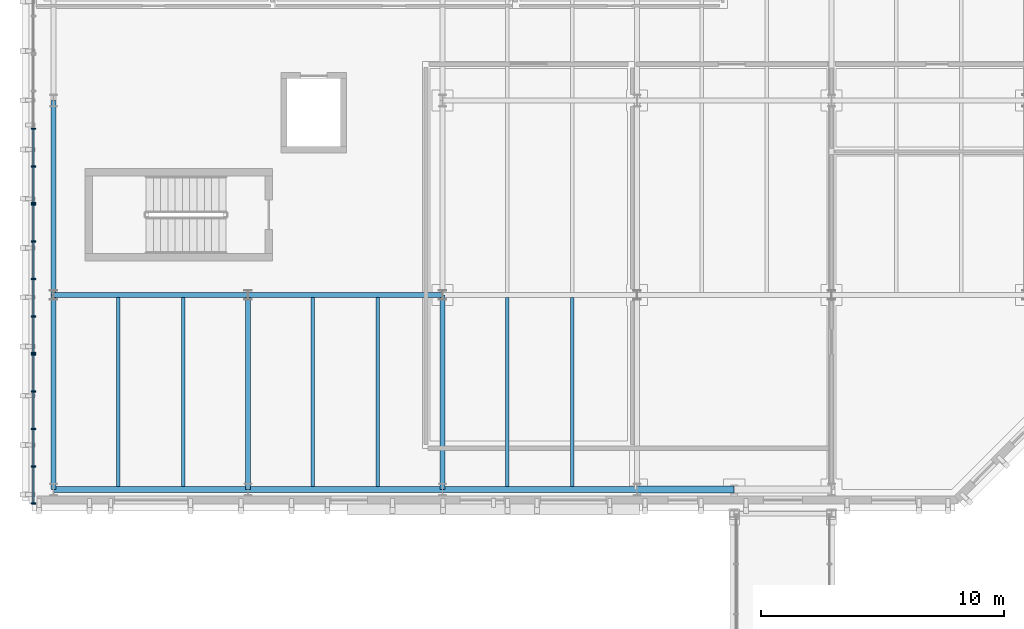
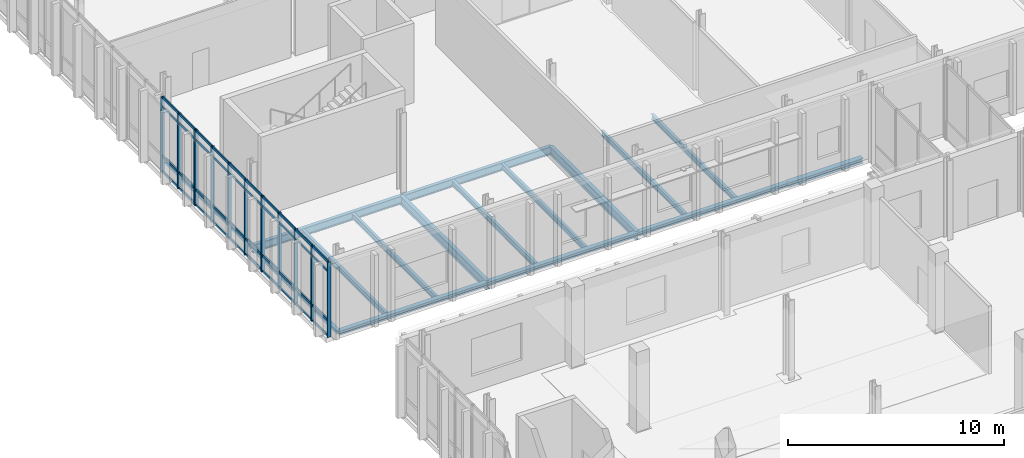
# One storey, part 35 of 100: 53 members, 16 beams, 3 elements without a shape of their own.
"""IFC4 building model written with IfcOpenShell, lengths in metres."""

import ifcopenshell
import ifcopenshell.guid

model = None  # the IFC model being written
_history = None  # IfcOwnerHistory: only IFC2X3 demands one
_inside = {}  # id of a spatial element -> (the spatial element, [elements in it])
_under = {}  # id of a project, library or spatial element -> (it, [spatial elements below it])
_declared = {}  # id of a project -> (the project, [libraries it declares])
_typed = {}  # id of a type object -> (the type object, [elements of that type])
_made_of = {}  # id of a material, layer set ... -> (it, [elements and type objects made of it])


def new_model(schema):
    """Start an empty IFC model of exactly this schema.

    Asked for "IFC4X3", IfcOpenShell would pick the latest addendum, in which some entities
    have other attributes; the version numbers below select the first issue.
    IFC2X3 requires an IfcOwnerHistory on every rooted entity: one is made here for all.
    """
    global model, _history
    if schema == "IFC4X3":
        model = ifcopenshell.file(schema_version=(4, 3, 0, 0))
    else:
        model = ifcopenshell.file(schema=schema)
    _inside.clear()
    _under.clear()
    _declared.clear()
    _typed.clear()
    _made_of.clear()
    _history = None
    if model.schema == "IFC2X3":
        org = make("IfcOrganization", Name="unknown")
        user = make(
            "IfcPersonAndOrganization",
            ThePerson=make("IfcPerson", FamilyName="unknown"),
            TheOrganization=org,
        )
        app = make(
            "IfcApplication",
            ApplicationDeveloper=org,
            Version="unknown",
            ApplicationFullName="unknown",
            ApplicationIdentifier="unknown",
        )
        _history = make(
            "IfcOwnerHistory",
            OwningUser=user,
            OwningApplication=app,
            ChangeAction="ADDED",
            CreationDate=0,
        )
    return model


def make(cls, **values):
    """One entity of the class cls with the attributes given. An attribute that is None is left unset."""
    return model.create_entity(
        cls, **{name: value for name, value in values.items() if value is not None}
    )


def rooted(cls, **values):
    """An entity with a GlobalId (a new one), such as an element, a storey or a relation."""
    return make(cls, GlobalId=ifcopenshell.guid.new(), OwnerHistory=_history, **values)


def si_unit(unit_type, name, prefix=None):
    """IfcSIUnit, for example si_unit("LENGTHUNIT", "METRE", prefix="MILLI")."""
    return make("IfcSIUnit", UnitType=unit_type, Prefix=prefix, Name=name)


def assignment(units):
    """IfcUnitAssignment: the units of a project."""
    return None if units is None else make("IfcUnitAssignment", Units=units)


def point(xyz):
    """IfcCartesianPoint."""
    return None if xyz is None else make("IfcCartesianPoint", Coordinates=xyz)


def direction(xyz):
    """IfcDirection."""
    return None if xyz is None else make("IfcDirection", DirectionRatios=xyz)


def frame(location, z_axis=None, x_axis=None):
    """IfcAxis2Placement3D, a coordinate frame: its origin and axes. An axis left out is left unset."""
    return make(
        "IfcAxis2Placement3D",
        Location=point(location),
        Axis=direction(z_axis),
        RefDirection=direction(x_axis),
    )


def frame_2d(location, x_axis=None):
    """IfcAxis2Placement2D, a coordinate frame in the plane: its origin and x axis."""
    return make(
        "IfcAxis2Placement2D", Location=point(location), RefDirection=direction(x_axis)
    )


def origin():
    """The frame at (0, 0, 0) with its axes left unset."""
    return frame((0.0, 0.0, 0.0))


def origin_2d():
    """The frame at (0, 0) in the plane with its x axis left unset."""
    return frame_2d((0.0, 0.0))


def place(relative_to, where):
    """IfcLocalPlacement: puts the frame where relative to a parent placement (None: the world)."""
    return make(
        "IfcLocalPlacement", PlacementRelTo=relative_to, RelativePlacement=where
    )


def context(
    kind, dimensions, precision=None, world=None, true_north=None, identifier=None
):
    """IfcGeometricRepresentationContext, for example the 3D "Model" context."""
    return make(
        "IfcGeometricRepresentationContext",
        ContextIdentifier=identifier,
        ContextType=kind,
        CoordinateSpaceDimension=dimensions,
        Precision=precision,
        WorldCoordinateSystem=world,
        TrueNorth=true_north,
    )


def subcontext(parent, identifier, kind, view, scale=None):
    """IfcGeometricRepresentationSubContext, for example "Body" below "Model"."""
    return make(
        "IfcGeometricRepresentationSubContext",
        ContextIdentifier=identifier,
        ContextType=kind,
        ParentContext=parent,
        TargetScale=scale,
        TargetView=view,
    )


def project(units=None, contexts=None):
    """IfcProject with its units and contexts."""
    return rooted(
        "IfcProject",
        Name="project",
        RepresentationContexts=contexts,
        UnitsInContext=assignment(units),
    )


def spatial(cls, under=None, at=None, **own):
    """A site, building, storey or space (cls), placed at a placement, below another one or the project."""
    s = rooted(cls, ObjectPlacement=at, **own)
    if under is not None:
        _under.setdefault(under.id(), (under, []))[1].append(s)
    return s


def profile(cls, at=None, kind="AREA", **sizes):
    """A parametric profile (cls). Its sizes go by their IFC names, for example OverallWidth=200.0."""
    return make(cls, ProfileType=kind, Position=at, **sizes)


def rectangle(**sizes):
    """IfcRectangleProfileDef."""
    return profile("IfcRectangleProfileDef", **sizes)


def i_section(**sizes):
    """IfcIShapeProfileDef."""
    return profile("IfcIShapeProfileDef", **sizes)


def extrude(swept, where, along, depth):
    """IfcExtrudedAreaSolid: the profile swept, set in the frame where, extruded along a direction by depth."""
    return make(
        "IfcExtrudedAreaSolid",
        SweptArea=swept,
        Position=where,
        ExtrudedDirection=direction(along),
        Depth=depth,
    )


def shape(context_of_items, identifier, shape_type, items):
    """IfcShapeRepresentation: the items that make up one representation, for example the "Body"."""
    return make(
        "IfcShapeRepresentation",
        ContextOfItems=context_of_items,
        RepresentationIdentifier=identifier,
        RepresentationType=shape_type,
        Items=items,
    )


def material(Name=None, Category=None):
    """IfcMaterial."""
    return make("IfcMaterial", Name=Name, Category=Category)


def material_profile(
    of_material, cross_section, Name=None, Category=None, Priority=None
):
    """IfcMaterialProfile: a cross section and its material."""
    return make(
        "IfcMaterialProfile",
        Name=Name,
        Material=of_material,
        Profile=cross_section,
        Priority=Priority,
        Category=Category,
    )


def profile_set(profiles, Name=None, composite=None):
    """IfcMaterialProfileSet."""
    return make(
        "IfcMaterialProfileSet",
        Name=Name,
        MaterialProfiles=profiles,
        CompositeProfile=composite,
    )


def made_of(thing, what):
    """Note that an element or type object is made of a material, layer set ...; save() writes the relation."""
    if what is not None:
        _made_of.setdefault(what.id(), (what, []))[1].append(thing)
    return thing


def type_object(cls, material=None, **own):
    """A type object (cls), such as IfcWallType, which elements share."""
    return made_of(rooted(cls, **own), material)


def element(
    cls,
    number,
    at=None,
    inside=None,
    cuts=None,
    type_object=None,
    material=None,
    context=None,
    identifier="Body",
    shape_type=None,
    held_by="IfcProductDefinitionShape",
    body=None,
    shapes=None,
    **own,
):
    """One element of the class cls, such as IfcWall. Its Tag is "e" and its number.

    at: its placement. inside: the storey or other place that contains it. cuts: it is an
    opening in that element (IfcRelVoidsElement). A single representation is given by context,
    identifier, shape_type and body (its items); several are given by shapes. held_by: the class
    of the entity that holds the representations. save() writes the other relations.
    """
    e = rooted(cls, Tag="e%d" % number, ObjectPlacement=at, **own)
    if body is not None:
        shapes = [shape(context, identifier, shape_type, body)]
    if shapes is not None:
        e.Representation = make(held_by, Representations=shapes)
    if inside is not None:
        _inside.setdefault(inside.id(), (inside, []))[1].append(e)
    if cuts is not None:
        rooted(
            "IfcRelVoidsElement", RelatingBuildingElement=cuts, RelatedOpeningElement=e
        )
    if type_object is not None:
        _typed.setdefault(type_object.id(), (type_object, []))[1].append(e)
    return made_of(e, material)


def aggregate(whole, parts):
    """IfcRelAggregates: a whole, such as a stair, and the parts it consists of."""
    return rooted("IfcRelAggregates", RelatingObject=whole, RelatedObjects=parts)


def save(model, path):
    """Write the relations noted so far, then the file.

    IfcRelAggregates (storeys below a building ...), IfcRelContainedInSpatialStructure (elements
    in a storey), IfcRelDefinesByType, IfcRelAssociatesMaterial and IfcRelDeclares: one each for
    every whole, place, type object, material and project.
    """
    for whole, parts in _under.values():
        aggregate(whole, parts)
    for where, things in _inside.values():
        rooted(
            "IfcRelContainedInSpatialStructure",
            RelatedElements=things,
            RelatingStructure=where,
        )
    for kind, things in _typed.values():
        rooted("IfcRelDefinesByType", RelatedObjects=things, RelatingType=kind)
    for what, things in _made_of.values():
        rooted("IfcRelAssociatesMaterial", RelatedObjects=things, RelatingMaterial=what)
    for by, libraries in _declared.values():
        rooted("IfcRelDeclares", RelatingContext=by, RelatedDefinitions=libraries)
    model.write(path)


model = new_model("IFC4")

# Units and contexts
model_context = context("Model", 3, precision=1e-05, world=origin(), true_north=direction((0.0, 1.0)))
body_context = subcontext(model_context, "Body", "Model", "MODEL_VIEW")
ifc_project = project(units=[si_unit("LENGTHUNIT", "METRE"), si_unit("AREAUNIT", "SQUARE_METRE"), si_unit("VOLUMEUNIT", "CUBIC_METRE"), si_unit("PLANEANGLEUNIT", "RADIAN"), si_unit("MASSUNIT", "GRAM", prefix="KILO")], contexts=[model_context])

# Site, building, storey
site_placement = place(None, origin())
site = spatial("IfcSite", under=ifc_project, at=site_placement, CompositionType="ELEMENT")
building_placement = place(site_placement, origin())
building = spatial("IfcBuilding", under=site, at=building_placement, Name="Cymarion Research Institute", CompositionType="ELEMENT")
storey_placement = place(building_placement, frame((0.0, 0.0, 4.800048828125)))
storey = spatial("IfcBuildingStorey", under=building, at=storey_placement, Name="L01", CompositionType="ELEMENT", Elevation=4.800048828125)

# Curtain wall, members
ifc_material_1 = material(Name="Anodised aluminium unitised curtain wall with Low-E glazing", Category="aluminium")
curtain_wall_type = type_object("IfcCurtainWallType", Name="UNITISED CURTAIN WALL CW22 6180X4250", PredefinedType="NOTDEFINED", material=ifc_material_1)
curtain_wall_1_placement = place(storey_placement, origin())
curtain_wall_1 = element("IfcCurtainWall", 1, at=curtain_wall_1_placement, inside=storey, type_object=curtain_wall_type, Name="L01 V5 unitised curtain wall CW22 #53", PredefinedType="NOTDEFINED")
ifc_material_2 = material(Name="Anodised aluminium framing", Category="aluminium")
ifc_material_profile_1 = material_profile(ifc_material_2, rectangle(XDim=0.06005859375, YDim=0.179931640625, at=origin_2d()), Name="ALU MULLION 60x180")
ifc_profile_set_1 = profile_set([ifc_material_profile_1], Name="Anodised aluminium framing")
member_type_1 = type_object("IfcMemberType", Name="CURTAIN WALL MULLION ML01 60X180", PredefinedType="MULLION", material=ifc_profile_set_1)
member_1_placement = place(storey_placement, frame((5.77001953125, 100.339111328125, 0.0), z_axis=(0.0, 0.0, 1.0), x_axis=(0.0, -1.0, 0.0)))
member_1 = element("IfcMember", 2, at=member_1_placement, type_object=member_type_1, Name="CW22 mullion 3", PredefinedType="MULLION", context=body_context, shape_type="SweptSolid", body=[
    extrude(rectangle(XDim=0.06005859375, YDim=0.179931640625, at=origin_2d()), origin(), (0.0, 0.0, 1.0), 4.25),
])
member_2_placement = place(storey_placement, frame((5.77001953125, 98.795166015625, 0.0), z_axis=(0.0, 0.0, 1.0), x_axis=(0.0, -1.0, 0.0)))
member_2 = element("IfcMember", 3, at=member_2_placement, type_object=member_type_1, Name="CW22 mullion 4", PredefinedType="MULLION", context=body_context, shape_type="SweptSolid", body=[
    extrude(rectangle(XDim=0.06005859375, YDim=0.179931640625, at=origin_2d()), origin(), (0.0, 0.0, 1.0), 4.25),
])
member_3_placement = place(storey_placement, frame((5.77001953125, 97.28125, 0.0), z_axis=(0.0, 0.0, 1.0), x_axis=(0.0, -1.0, 0.0)))
member_3 = element("IfcMember", 4, at=member_3_placement, type_object=member_type_1, Name="CW22 mullion 5", PredefinedType="MULLION", context=body_context, shape_type="SweptSolid", body=[
    extrude(rectangle(XDim=0.06005859375, YDim=0.179931640625, at=origin_2d()), origin(), (0.0, 0.0, 1.0), 4.25),
])

curtain_wall_2_placement = place(storey_placement, origin())
curtain_wall_2 = element("IfcCurtainWall", 5, at=curtain_wall_2_placement, inside=storey, type_object=curtain_wall_type, Name="L01 V5 unitised curtain wall CW22 #54", PredefinedType="NOTDEFINED")
member_4_placement = place(storey_placement, frame((5.77001953125, 97.22119140625, 0.0), z_axis=(0.0, 0.0, 1.0), x_axis=(0.0, -1.0, 0.0)))
member_4 = element("IfcMember", 6, at=member_4_placement, type_object=member_type_1, Name="CW22 mullion 1", PredefinedType="MULLION", context=body_context, shape_type="SweptSolid", body=[
    extrude(rectangle(XDim=0.06005859375, YDim=0.179931640625, at=origin_2d()), origin(), (0.0, 0.0, 1.0), 4.25),
])
member_5_placement = place(storey_placement, frame((5.77001953125, 95.707275390625, 0.0), z_axis=(0.0, 0.0, 1.0), x_axis=(0.0, -1.0, 0.0)))
member_5 = element("IfcMember", 7, at=member_5_placement, type_object=member_type_1, Name="CW22 mullion 2", PredefinedType="MULLION", context=body_context, shape_type="SweptSolid", body=[
    extrude(rectangle(XDim=0.06005859375, YDim=0.179931640625, at=origin_2d()), origin(), (0.0, 0.0, 1.0), 4.25),
])
member_6_placement = place(storey_placement, frame((5.77001953125, 94.163330078125, 0.0), z_axis=(0.0, 0.0, 1.0), x_axis=(0.0, -1.0, 0.0)))
member_6 = element("IfcMember", 8, at=member_6_placement, type_object=member_type_1, Name="CW22 mullion 3", PredefinedType="MULLION", context=body_context, shape_type="SweptSolid", body=[
    extrude(rectangle(XDim=0.06005859375, YDim=0.179931640625, at=origin_2d()), origin(), (0.0, 0.0, 1.0), 4.25),
])
member_7_placement = place(storey_placement, frame((5.77001953125, 92.619384765625, 0.0), z_axis=(0.0, 0.0, 1.0), x_axis=(0.0, -1.0, 0.0)))
member_7 = element("IfcMember", 9, at=member_7_placement, type_object=member_type_1, Name="CW22 mullion 4", PredefinedType="MULLION", context=body_context, shape_type="SweptSolid", body=[
    extrude(rectangle(XDim=0.06005859375, YDim=0.179931640625, at=origin_2d()), origin(), (0.0, 0.0, 1.0), 4.25),
])
member_8_placement = place(storey_placement, frame((5.77001953125, 91.105712890625, 0.0), z_axis=(0.0, 0.0, 1.0), x_axis=(0.0, -1.0, 0.0)))
member_8 = element("IfcMember", 10, at=member_8_placement, type_object=member_type_1, Name="CW22 mullion 5", PredefinedType="MULLION", context=body_context, shape_type="SweptSolid", body=[
    extrude(rectangle(XDim=0.06005859375, YDim=0.179931640625, at=origin_2d()), origin(), (0.0, 0.0, 1.0), 4.25),
])

curtain_wall_3_placement = place(storey_placement, origin())
curtain_wall_3 = element("IfcCurtainWall", 11, at=curtain_wall_3_placement, inside=storey, type_object=curtain_wall_type, Name="L01 V5 unitised curtain wall CW22 #55", PredefinedType="NOTDEFINED")
member_9_placement = place(storey_placement, frame((5.77001953125, 91.045654296875, 0.0), z_axis=(0.0, 0.0, 1.0), x_axis=(0.0, -1.0, 0.0)))
member_9 = element("IfcMember", 12, at=member_9_placement, type_object=member_type_1, Name="CW22 mullion 1", PredefinedType="MULLION", context=body_context, shape_type="SweptSolid", body=[
    extrude(rectangle(XDim=0.06005859375, YDim=0.179931640625, at=origin_2d()), origin(), (0.0, 0.0, 1.0), 4.25),
])
member_10_placement = place(storey_placement, frame((5.77001953125, 89.53173828125, 0.0), z_axis=(0.0, 0.0, 1.0), x_axis=(0.0, -1.0, 0.0)))
member_10 = element("IfcMember", 13, at=member_10_placement, type_object=member_type_1, Name="CW22 mullion 2", PredefinedType="MULLION", context=body_context, shape_type="SweptSolid", body=[
    extrude(rectangle(XDim=0.06005859375, YDim=0.179931640625, at=origin_2d()), origin(), (0.0, 0.0, 1.0), 4.25),
])
member_11_placement = place(storey_placement, frame((5.77001953125, 87.98779296875, 0.0), z_axis=(0.0, 0.0, 1.0), x_axis=(0.0, -1.0, 0.0)))
member_11 = element("IfcMember", 14, at=member_11_placement, type_object=member_type_1, Name="CW22 mullion 3", PredefinedType="MULLION", context=body_context, shape_type="SweptSolid", body=[
    extrude(rectangle(XDim=0.06005859375, YDim=0.179931640625, at=origin_2d()), origin(), (0.0, 0.0, 1.0), 4.25),
])
member_12_placement = place(storey_placement, frame((5.77001953125, 86.44384765625, 0.0), z_axis=(0.0, 0.0, 1.0), x_axis=(0.0, -1.0, 0.0)))
member_12 = element("IfcMember", 15, at=member_12_placement, type_object=member_type_1, Name="CW22 mullion 4", PredefinedType="MULLION", context=body_context, shape_type="SweptSolid", body=[
    extrude(rectangle(XDim=0.06005859375, YDim=0.179931640625, at=origin_2d()), origin(), (0.0, 0.0, 1.0), 4.25),
])
member_13_placement = place(storey_placement, frame((5.77001953125, 84.929931640625, 0.0), z_axis=(0.0, 0.0, 1.0), x_axis=(0.0, -1.0, 0.0)))
member_13 = element("IfcMember", 16, at=member_13_placement, type_object=member_type_1, Name="CW22 mullion 5", PredefinedType="MULLION", context=body_context, shape_type="SweptSolid", body=[
    extrude(rectangle(XDim=0.06005859375, YDim=0.179931640625, at=origin_2d()), origin(), (0.0, 0.0, 1.0), 4.25),
])

# Member
ifc_material_profile_2 = material_profile(ifc_material_2, rectangle(XDim=0.06005859375, YDim=0.14990234375, at=origin_2d()), Name="ALU TRANSOM 60x150")
ifc_profile_set_2 = profile_set([ifc_material_profile_2], Name="Anodised aluminium framing")
member_type_2 = type_object("IfcMemberType", Name="CURTAIN WALL TRANSOM TR01 60X150", PredefinedType="USERDEFINED", material=ifc_profile_set_2)
member_14_placement = place(storey_placement, frame((5.77001953125, 100.30908203125, 0.030029296875), z_axis=(0.0, -1.0, 0.0), x_axis=(1.0, 0.0, 0.0)))
member_14 = element("IfcMember", 17, at=member_14_placement, type_object=member_type_2, Name="CW22 transom 3.1", ObjectType="TRANSOM", PredefinedType="USERDEFINED", context=body_context, shape_type="SweptSolid", body=[
    extrude(rectangle(XDim=0.06005859375, YDim=0.14990234375, at=origin_2d()), origin(), (0.0, 0.0, 1.0), 1.48388671875),
])

member_15_placement = place(storey_placement, frame((5.77001953125, 100.30908203125, 0.89990234375), z_axis=(0.0, -1.0, 0.0), x_axis=(1.0, 0.0, 0.0)))
member_15 = element("IfcMember", 18, at=member_15_placement, type_object=member_type_2, Name="CW22 transom 3.2", ObjectType="TRANSOM", PredefinedType="USERDEFINED", context=body_context, shape_type="SweptSolid", body=[
    extrude(rectangle(XDim=0.06005859375, YDim=0.14990234375, at=origin_2d()), origin(), (0.0, 0.0, 1.0), 1.48388671875),
])

member_16_placement = place(storey_placement, frame((5.77001953125, 100.30908203125, 3.699951171875), z_axis=(0.0, -1.0, 0.0), x_axis=(1.0, 0.0, 0.0)))
member_16 = element("IfcMember", 19, at=member_16_placement, type_object=member_type_2, Name="CW22 transom 3.3", ObjectType="TRANSOM", PredefinedType="USERDEFINED", context=body_context, shape_type="SweptSolid", body=[
    extrude(rectangle(XDim=0.06005859375, YDim=0.14990234375, at=origin_2d()), origin(), (0.0, 0.0, 1.0), 1.48388671875),
])

member_17_placement = place(storey_placement, frame((5.77001953125, 100.30908203125, 4.219970703125), z_axis=(0.0, -1.0, 0.0), x_axis=(1.0, 0.0, 0.0)))
member_17 = element("IfcMember", 20, at=member_17_placement, type_object=member_type_2, Name="CW22 transom 3.4", ObjectType="TRANSOM", PredefinedType="USERDEFINED", context=body_context, shape_type="SweptSolid", body=[
    extrude(rectangle(XDim=0.06005859375, YDim=0.14990234375, at=origin_2d()), origin(), (0.0, 0.0, 1.0), 1.48388671875),
])

member_18_placement = place(storey_placement, frame((5.77001953125, 98.76513671875, 0.030029296875), z_axis=(0.0, -1.0, 0.0), x_axis=(1.0, 0.0, 0.0)))
member_18 = element("IfcMember", 21, at=member_18_placement, type_object=member_type_2, Name="CW22 transom 4.1", ObjectType="TRANSOM", PredefinedType="USERDEFINED", context=body_context, shape_type="SweptSolid", body=[
    extrude(rectangle(XDim=0.06005859375, YDim=0.14990234375, at=origin_2d()), origin(), (0.0, 0.0, 1.0), 1.453857421875),
])

member_19_placement = place(storey_placement, frame((5.77001953125, 98.76513671875, 0.89990234375), z_axis=(0.0, -1.0, 0.0), x_axis=(1.0, 0.0, 0.0)))
member_19 = element("IfcMember", 22, at=member_19_placement, type_object=member_type_2, Name="CW22 transom 4.2", ObjectType="TRANSOM", PredefinedType="USERDEFINED", context=body_context, shape_type="SweptSolid", body=[
    extrude(rectangle(XDim=0.06005859375, YDim=0.14990234375, at=origin_2d()), origin(), (0.0, 0.0, 1.0), 1.453857421875),
])

member_20_placement = place(storey_placement, frame((5.77001953125, 98.76513671875, 3.699951171875), z_axis=(0.0, -1.0, 0.0), x_axis=(1.0, 0.0, 0.0)))
member_20 = element("IfcMember", 23, at=member_20_placement, type_object=member_type_2, Name="CW22 transom 4.3", ObjectType="TRANSOM", PredefinedType="USERDEFINED", context=body_context, shape_type="SweptSolid", body=[
    extrude(rectangle(XDim=0.06005859375, YDim=0.14990234375, at=origin_2d()), origin(), (0.0, 0.0, 1.0), 1.453857421875),
])

member_21_placement = place(storey_placement, frame((5.77001953125, 98.76513671875, 4.219970703125), z_axis=(0.0, -1.0, 0.0), x_axis=(1.0, 0.0, 0.0)))
member_21 = element("IfcMember", 24, at=member_21_placement, type_object=member_type_2, Name="CW22 transom 4.4", ObjectType="TRANSOM", PredefinedType="USERDEFINED", context=body_context, shape_type="SweptSolid", body=[
    extrude(rectangle(XDim=0.06005859375, YDim=0.14990234375, at=origin_2d()), origin(), (0.0, 0.0, 1.0), 1.453857421875),
])

aggregate(curtain_wall_1, [member_1, member_2, member_3, member_14, member_15, member_16, member_17, member_18, member_19, member_20, member_21])

member_22_placement = place(storey_placement, frame((5.77001953125, 97.191162109375, 0.030029296875), z_axis=(0.0, -1.0, 0.0), x_axis=(1.0, 0.0, 0.0)))
member_22 = element("IfcMember", 25, at=member_22_placement, type_object=member_type_2, Name="CW22 transom 1.1", ObjectType="TRANSOM", PredefinedType="USERDEFINED", context=body_context, shape_type="SweptSolid", body=[
    extrude(rectangle(XDim=0.06005859375, YDim=0.14990234375, at=origin_2d()), origin(), (0.0, 0.0, 1.0), 1.453857421875),
])

member_23_placement = place(storey_placement, frame((5.77001953125, 97.191162109375, 0.89990234375), z_axis=(0.0, -1.0, 0.0), x_axis=(1.0, 0.0, 0.0)))
member_23 = element("IfcMember", 26, at=member_23_placement, type_object=member_type_2, Name="CW22 transom 1.2", ObjectType="TRANSOM", PredefinedType="USERDEFINED", context=body_context, shape_type="SweptSolid", body=[
    extrude(rectangle(XDim=0.06005859375, YDim=0.14990234375, at=origin_2d()), origin(), (0.0, 0.0, 1.0), 1.453857421875),
])

member_24_placement = place(storey_placement, frame((5.77001953125, 97.191162109375, 3.699951171875), z_axis=(0.0, -1.0, 0.0), x_axis=(1.0, 0.0, 0.0)))
member_24 = element("IfcMember", 27, at=member_24_placement, type_object=member_type_2, Name="CW22 transom 1.3", ObjectType="TRANSOM", PredefinedType="USERDEFINED", context=body_context, shape_type="SweptSolid", body=[
    extrude(rectangle(XDim=0.06005859375, YDim=0.14990234375, at=origin_2d()), origin(), (0.0, 0.0, 1.0), 1.453857421875),
])

member_25_placement = place(storey_placement, frame((5.77001953125, 97.191162109375, 4.219970703125), z_axis=(0.0, -1.0, 0.0), x_axis=(1.0, 0.0, 0.0)))
member_25 = element("IfcMember", 28, at=member_25_placement, type_object=member_type_2, Name="CW22 transom 1.4", ObjectType="TRANSOM", PredefinedType="USERDEFINED", context=body_context, shape_type="SweptSolid", body=[
    extrude(rectangle(XDim=0.06005859375, YDim=0.14990234375, at=origin_2d()), origin(), (0.0, 0.0, 1.0), 1.453857421875),
])

member_26_placement = place(storey_placement, frame((5.77001953125, 95.67724609375, 0.030029296875), z_axis=(0.0, -1.0, 0.0), x_axis=(1.0, 0.0, 0.0)))
member_26 = element("IfcMember", 29, at=member_26_placement, type_object=member_type_2, Name="CW22 transom 2.1", ObjectType="TRANSOM", PredefinedType="USERDEFINED", context=body_context, shape_type="SweptSolid", body=[
    extrude(rectangle(XDim=0.06005859375, YDim=0.14990234375, at=origin_2d()), origin(), (0.0, 0.0, 1.0), 1.48388671875),
])

member_27_placement = place(storey_placement, frame((5.77001953125, 95.67724609375, 0.89990234375), z_axis=(0.0, -1.0, 0.0), x_axis=(1.0, 0.0, 0.0)))
member_27 = element("IfcMember", 30, at=member_27_placement, type_object=member_type_2, Name="CW22 transom 2.2", ObjectType="TRANSOM", PredefinedType="USERDEFINED", context=body_context, shape_type="SweptSolid", body=[
    extrude(rectangle(XDim=0.06005859375, YDim=0.14990234375, at=origin_2d()), origin(), (0.0, 0.0, 1.0), 1.48388671875),
])

member_28_placement = place(storey_placement, frame((5.77001953125, 95.67724609375, 3.699951171875), z_axis=(0.0, -1.0, 0.0), x_axis=(1.0, 0.0, 0.0)))
member_28 = element("IfcMember", 31, at=member_28_placement, type_object=member_type_2, Name="CW22 transom 2.3", ObjectType="TRANSOM", PredefinedType="USERDEFINED", context=body_context, shape_type="SweptSolid", body=[
    extrude(rectangle(XDim=0.06005859375, YDim=0.14990234375, at=origin_2d()), origin(), (0.0, 0.0, 1.0), 1.48388671875),
])

member_29_placement = place(storey_placement, frame((5.77001953125, 95.67724609375, 4.219970703125), z_axis=(0.0, -1.0, 0.0), x_axis=(1.0, 0.0, 0.0)))
member_29 = element("IfcMember", 32, at=member_29_placement, type_object=member_type_2, Name="CW22 transom 2.4", ObjectType="TRANSOM", PredefinedType="USERDEFINED", context=body_context, shape_type="SweptSolid", body=[
    extrude(rectangle(XDim=0.06005859375, YDim=0.14990234375, at=origin_2d()), origin(), (0.0, 0.0, 1.0), 1.48388671875),
])

member_30_placement = place(storey_placement, frame((5.77001953125, 94.13330078125, 0.030029296875), z_axis=(0.0, -1.0, 0.0), x_axis=(1.0, 0.0, 0.0)))
member_30 = element("IfcMember", 33, at=member_30_placement, type_object=member_type_2, Name="CW22 transom 3.1", ObjectType="TRANSOM", PredefinedType="USERDEFINED", context=body_context, shape_type="SweptSolid", body=[
    extrude(rectangle(XDim=0.06005859375, YDim=0.14990234375, at=origin_2d()), origin(), (0.0, 0.0, 1.0), 1.48388671875),
])

member_31_placement = place(storey_placement, frame((5.77001953125, 94.13330078125, 0.89990234375), z_axis=(0.0, -1.0, 0.0), x_axis=(1.0, 0.0, 0.0)))
member_31 = element("IfcMember", 34, at=member_31_placement, type_object=member_type_2, Name="CW22 transom 3.2", ObjectType="TRANSOM", PredefinedType="USERDEFINED", context=body_context, shape_type="SweptSolid", body=[
    extrude(rectangle(XDim=0.06005859375, YDim=0.14990234375, at=origin_2d()), origin(), (0.0, 0.0, 1.0), 1.48388671875),
])

member_32_placement = place(storey_placement, frame((5.77001953125, 94.13330078125, 3.699951171875), z_axis=(0.0, -1.0, 0.0), x_axis=(1.0, 0.0, 0.0)))
member_32 = element("IfcMember", 35, at=member_32_placement, type_object=member_type_2, Name="CW22 transom 3.3", ObjectType="TRANSOM", PredefinedType="USERDEFINED", context=body_context, shape_type="SweptSolid", body=[
    extrude(rectangle(XDim=0.06005859375, YDim=0.14990234375, at=origin_2d()), origin(), (0.0, 0.0, 1.0), 1.48388671875),
])

member_33_placement = place(storey_placement, frame((5.77001953125, 94.13330078125, 4.219970703125), z_axis=(0.0, -1.0, 0.0), x_axis=(1.0, 0.0, 0.0)))
member_33 = element("IfcMember", 36, at=member_33_placement, type_object=member_type_2, Name="CW22 transom 3.4", ObjectType="TRANSOM", PredefinedType="USERDEFINED", context=body_context, shape_type="SweptSolid", body=[
    extrude(rectangle(XDim=0.06005859375, YDim=0.14990234375, at=origin_2d()), origin(), (0.0, 0.0, 1.0), 1.48388671875),
])

member_34_placement = place(storey_placement, frame((5.77001953125, 92.589599609375, 0.030029296875), z_axis=(0.0, -1.0, 0.0), x_axis=(1.0, 0.0, 0.0)))
member_34 = element("IfcMember", 37, at=member_34_placement, type_object=member_type_2, Name="CW22 transom 4.1", ObjectType="TRANSOM", PredefinedType="USERDEFINED", context=body_context, shape_type="SweptSolid", body=[
    extrude(rectangle(XDim=0.06005859375, YDim=0.14990234375, at=origin_2d()), origin(), (0.0, 0.0, 1.0), 1.4541015625),
])

member_35_placement = place(storey_placement, frame((5.77001953125, 92.589599609375, 0.89990234375), z_axis=(0.0, -1.0, 0.0), x_axis=(1.0, 0.0, 0.0)))
member_35 = element("IfcMember", 38, at=member_35_placement, type_object=member_type_2, Name="CW22 transom 4.2", ObjectType="TRANSOM", PredefinedType="USERDEFINED", context=body_context, shape_type="SweptSolid", body=[
    extrude(rectangle(XDim=0.06005859375, YDim=0.14990234375, at=origin_2d()), origin(), (0.0, 0.0, 1.0), 1.4541015625),
])

member_36_placement = place(storey_placement, frame((5.77001953125, 92.589599609375, 3.699951171875), z_axis=(0.0, -1.0, 0.0), x_axis=(1.0, 0.0, 0.0)))
member_36 = element("IfcMember", 39, at=member_36_placement, type_object=member_type_2, Name="CW22 transom 4.3", ObjectType="TRANSOM", PredefinedType="USERDEFINED", context=body_context, shape_type="SweptSolid", body=[
    extrude(rectangle(XDim=0.06005859375, YDim=0.14990234375, at=origin_2d()), origin(), (0.0, 0.0, 1.0), 1.4541015625),
])

member_37_placement = place(storey_placement, frame((5.77001953125, 92.589599609375, 4.219970703125), z_axis=(0.0, -1.0, 0.0), x_axis=(1.0, 0.0, 0.0)))
member_37 = element("IfcMember", 40, at=member_37_placement, type_object=member_type_2, Name="CW22 transom 4.4", ObjectType="TRANSOM", PredefinedType="USERDEFINED", context=body_context, shape_type="SweptSolid", body=[
    extrude(rectangle(XDim=0.06005859375, YDim=0.14990234375, at=origin_2d()), origin(), (0.0, 0.0, 1.0), 1.4541015625),
])

aggregate(curtain_wall_2, [member_4, member_5, member_6, member_7, member_8, member_22, member_23, member_24, member_25, member_26, member_27, member_28, member_29, member_30, member_31, member_32, member_33, member_34, member_35, member_36, member_37])

member_38_placement = place(storey_placement, frame((5.77001953125, 91.015625, 0.030029296875), z_axis=(0.0, -1.0, 0.0), x_axis=(1.0, 0.0, 0.0)))
member_38 = element("IfcMember", 41, at=member_38_placement, type_object=member_type_2, Name="CW22 transom 1.1", ObjectType="TRANSOM", PredefinedType="USERDEFINED", context=body_context, shape_type="SweptSolid", body=[
    extrude(rectangle(XDim=0.06005859375, YDim=0.14990234375, at=origin_2d()), origin(), (0.0, 0.0, 1.0), 1.453857421875),
])

member_39_placement = place(storey_placement, frame((5.77001953125, 91.015625, 0.89990234375), z_axis=(0.0, -1.0, 0.0), x_axis=(1.0, 0.0, 0.0)))
member_39 = element("IfcMember", 42, at=member_39_placement, type_object=member_type_2, Name="CW22 transom 1.2", ObjectType="TRANSOM", PredefinedType="USERDEFINED", context=body_context, shape_type="SweptSolid", body=[
    extrude(rectangle(XDim=0.06005859375, YDim=0.14990234375, at=origin_2d()), origin(), (0.0, 0.0, 1.0), 1.453857421875),
])

member_40_placement = place(storey_placement, frame((5.77001953125, 91.015625, 3.699951171875), z_axis=(0.0, -1.0, 0.0), x_axis=(1.0, 0.0, 0.0)))
member_40 = element("IfcMember", 43, at=member_40_placement, type_object=member_type_2, Name="CW22 transom 1.3", ObjectType="TRANSOM", PredefinedType="USERDEFINED", context=body_context, shape_type="SweptSolid", body=[
    extrude(rectangle(XDim=0.06005859375, YDim=0.14990234375, at=origin_2d()), origin(), (0.0, 0.0, 1.0), 1.453857421875),
])

member_41_placement = place(storey_placement, frame((5.77001953125, 91.015625, 4.219970703125), z_axis=(0.0, -1.0, 0.0), x_axis=(1.0, 0.0, 0.0)))
member_41 = element("IfcMember", 44, at=member_41_placement, type_object=member_type_2, Name="CW22 transom 1.4", ObjectType="TRANSOM", PredefinedType="USERDEFINED", context=body_context, shape_type="SweptSolid", body=[
    extrude(rectangle(XDim=0.06005859375, YDim=0.14990234375, at=origin_2d()), origin(), (0.0, 0.0, 1.0), 1.453857421875),
])

member_42_placement = place(storey_placement, frame((5.77001953125, 89.501708984375, 0.030029296875), z_axis=(0.0, -1.0, 0.0), x_axis=(1.0, 0.0, 0.0)))
member_42 = element("IfcMember", 45, at=member_42_placement, type_object=member_type_2, Name="CW22 transom 2.1", ObjectType="TRANSOM", PredefinedType="USERDEFINED", context=body_context, shape_type="SweptSolid", body=[
    extrude(rectangle(XDim=0.06005859375, YDim=0.14990234375, at=origin_2d()), origin(), (0.0, 0.0, 1.0), 1.48388671875),
])

member_43_placement = place(storey_placement, frame((5.77001953125, 89.501708984375, 0.89990234375), z_axis=(0.0, -1.0, 0.0), x_axis=(1.0, 0.0, 0.0)))
member_43 = element("IfcMember", 46, at=member_43_placement, type_object=member_type_2, Name="CW22 transom 2.2", ObjectType="TRANSOM", PredefinedType="USERDEFINED", context=body_context, shape_type="SweptSolid", body=[
    extrude(rectangle(XDim=0.06005859375, YDim=0.14990234375, at=origin_2d()), origin(), (0.0, 0.0, 1.0), 1.48388671875),
])

member_44_placement = place(storey_placement, frame((5.77001953125, 89.501708984375, 3.699951171875), z_axis=(0.0, -1.0, 0.0), x_axis=(1.0, 0.0, 0.0)))
member_44 = element("IfcMember", 47, at=member_44_placement, type_object=member_type_2, Name="CW22 transom 2.3", ObjectType="TRANSOM", PredefinedType="USERDEFINED", context=body_context, shape_type="SweptSolid", body=[
    extrude(rectangle(XDim=0.06005859375, YDim=0.14990234375, at=origin_2d()), origin(), (0.0, 0.0, 1.0), 1.48388671875),
])

member_45_placement = place(storey_placement, frame((5.77001953125, 89.501708984375, 4.219970703125), z_axis=(0.0, -1.0, 0.0), x_axis=(1.0, 0.0, 0.0)))
member_45 = element("IfcMember", 48, at=member_45_placement, type_object=member_type_2, Name="CW22 transom 2.4", ObjectType="TRANSOM", PredefinedType="USERDEFINED", context=body_context, shape_type="SweptSolid", body=[
    extrude(rectangle(XDim=0.06005859375, YDim=0.14990234375, at=origin_2d()), origin(), (0.0, 0.0, 1.0), 1.48388671875),
])

member_46_placement = place(storey_placement, frame((5.77001953125, 87.957763671875, 0.030029296875), z_axis=(0.0, -1.0, 0.0), x_axis=(1.0, 0.0, 0.0)))
member_46 = element("IfcMember", 49, at=member_46_placement, type_object=member_type_2, Name="CW22 transom 3.1", ObjectType="TRANSOM", PredefinedType="USERDEFINED", context=body_context, shape_type="SweptSolid", body=[
    extrude(rectangle(XDim=0.06005859375, YDim=0.14990234375, at=origin_2d()), origin(), (0.0, 0.0, 1.0), 1.48388671875),
])

member_47_placement = place(storey_placement, frame((5.77001953125, 87.957763671875, 0.89990234375), z_axis=(0.0, -1.0, 0.0), x_axis=(1.0, 0.0, 0.0)))
member_47 = element("IfcMember", 50, at=member_47_placement, type_object=member_type_2, Name="CW22 transom 3.2", ObjectType="TRANSOM", PredefinedType="USERDEFINED", context=body_context, shape_type="SweptSolid", body=[
    extrude(rectangle(XDim=0.06005859375, YDim=0.14990234375, at=origin_2d()), origin(), (0.0, 0.0, 1.0), 1.48388671875),
])

member_48_placement = place(storey_placement, frame((5.77001953125, 87.957763671875, 3.699951171875), z_axis=(0.0, -1.0, 0.0), x_axis=(1.0, 0.0, 0.0)))
member_48 = element("IfcMember", 51, at=member_48_placement, type_object=member_type_2, Name="CW22 transom 3.3", ObjectType="TRANSOM", PredefinedType="USERDEFINED", context=body_context, shape_type="SweptSolid", body=[
    extrude(rectangle(XDim=0.06005859375, YDim=0.14990234375, at=origin_2d()), origin(), (0.0, 0.0, 1.0), 1.48388671875),
])

member_49_placement = place(storey_placement, frame((5.77001953125, 87.957763671875, 4.219970703125), z_axis=(0.0, -1.0, 0.0), x_axis=(1.0, 0.0, 0.0)))
member_49 = element("IfcMember", 52, at=member_49_placement, type_object=member_type_2, Name="CW22 transom 3.4", ObjectType="TRANSOM", PredefinedType="USERDEFINED", context=body_context, shape_type="SweptSolid", body=[
    extrude(rectangle(XDim=0.06005859375, YDim=0.14990234375, at=origin_2d()), origin(), (0.0, 0.0, 1.0), 1.48388671875),
])

member_50_placement = place(storey_placement, frame((5.77001953125, 86.413818359375, 0.030029296875), z_axis=(0.0, -1.0, 0.0), x_axis=(1.0, 0.0, 0.0)))
member_50 = element("IfcMember", 53, at=member_50_placement, type_object=member_type_2, Name="CW22 transom 4.1", ObjectType="TRANSOM", PredefinedType="USERDEFINED", context=body_context, shape_type="SweptSolid", body=[
    extrude(rectangle(XDim=0.06005859375, YDim=0.14990234375, at=origin_2d()), origin(), (0.0, 0.0, 1.0), 1.453857421875),
])

member_51_placement = place(storey_placement, frame((5.77001953125, 86.413818359375, 0.89990234375), z_axis=(0.0, -1.0, 0.0), x_axis=(1.0, 0.0, 0.0)))
member_51 = element("IfcMember", 54, at=member_51_placement, type_object=member_type_2, Name="CW22 transom 4.2", ObjectType="TRANSOM", PredefinedType="USERDEFINED", context=body_context, shape_type="SweptSolid", body=[
    extrude(rectangle(XDim=0.06005859375, YDim=0.14990234375, at=origin_2d()), origin(), (0.0, 0.0, 1.0), 1.453857421875),
])

member_52_placement = place(storey_placement, frame((5.77001953125, 86.413818359375, 3.699951171875), z_axis=(0.0, -1.0, 0.0), x_axis=(1.0, 0.0, 0.0)))
member_52 = element("IfcMember", 55, at=member_52_placement, type_object=member_type_2, Name="CW22 transom 4.3", ObjectType="TRANSOM", PredefinedType="USERDEFINED", context=body_context, shape_type="SweptSolid", body=[
    extrude(rectangle(XDim=0.06005859375, YDim=0.14990234375, at=origin_2d()), origin(), (0.0, 0.0, 1.0), 1.453857421875),
])

member_53_placement = place(storey_placement, frame((5.77001953125, 86.413818359375, 4.219970703125), z_axis=(0.0, -1.0, 0.0), x_axis=(1.0, 0.0, 0.0)))
member_53 = element("IfcMember", 56, at=member_53_placement, type_object=member_type_2, Name="CW22 transom 4.4", ObjectType="TRANSOM", PredefinedType="USERDEFINED", context=body_context, shape_type="SweptSolid", body=[
    extrude(rectangle(XDim=0.06005859375, YDim=0.14990234375, at=origin_2d()), origin(), (0.0, 0.0, 1.0), 1.453857421875),
])

aggregate(curtain_wall_3, [member_9, member_10, member_11, member_12, member_13, member_38, member_39, member_40, member_41, member_42, member_43, member_44, member_45, member_46, member_47, member_48, member_49, member_50, member_51, member_52, member_53])

# Beams
ifc_material_3 = material(Name="Steel S355", Category="steel")
ifc_material_profile_3 = material_profile(ifc_material_3, i_section(OverallWidth=0.199951171875, OverallDepth=0.5, WebThickness=0.01025390625, FlangeThickness=0.01611328125, FilletRadius=0.02099609375, at=origin_2d()), Name="IPE 500")
ifc_profile_set_3 = profile_set([ifc_material_profile_3], Name="Steel S355")
beam_type_1 = type_object("IfcBeamType", Name="PRIMARY GIRDER BM03 IPE 500", PredefinedType="BEAM", material=ifc_profile_set_3)
for number, where, z_axis, x_axis, name in (
    (57, (14.60009765625, 85.506103515625, -0.5), (0.0, 1.0, 0.0), (-1.0, 0.0, 0.0), "L01 V5 girder BM03 #719"),
    (58, (22.60009765625, 85.506103515625, -0.5), (0.0, 1.0, 0.0), (-1.0, 0.0, 0.0), "L01 V5 girder BM03 #721"),
):
    element("IfcBeam", number, at=place(storey_placement, frame(where, z_axis=z_axis, x_axis=x_axis)), inside=storey, type_object=beam_type_1, Name=name, PredefinedType="BEAM", context=body_context, shape_type="SweptSolid", body=[
        extrude(i_section(OverallWidth=0.199951171875, OverallDepth=0.5, WebThickness=0.01025390625, FlangeThickness=0.01611328125, FilletRadius=0.02099609375, at=origin_2d()), origin(), (0.0, 0.0, 1.0), 7.98779296875),
    ])
ifc_material_profile_4 = material_profile(ifc_material_3, i_section(OverallWidth=0.18994140625, OverallDepth=0.449951171875, WebThickness=0.009521484375, FlangeThickness=0.0146484375, FilletRadius=0.02099609375, at=origin_2d()), Name="IPE 450")
ifc_profile_set_4 = profile_set([ifc_material_profile_4], Name="Steel S355")
beam_type_2 = type_object("IfcBeamType", Name="PRIMARY GIRDER BM04 IPE 450", PredefinedType="BEAM", material=ifc_profile_set_4)
for number, where, z_axis, x_axis, name in (
    (59, (6.60595703125, 93.5, -0.47509765625), (1.0, 0.0, 0.0), (0.0, 1.0, 0.0), "L01 V5 girder BM04 #697"),
    (60, (14.60595703125, 93.5, -0.47509765625), (1.0, 0.0, 0.0), (0.0, 1.0, 0.0), "L01 V5 girder BM04 #698"),
):
    element("IfcBeam", number, at=place(storey_placement, frame(where, z_axis=z_axis, x_axis=x_axis)), inside=storey, type_object=beam_type_2, Name=name, PredefinedType="BEAM", context=body_context, shape_type="SweptSolid", body=[
        extrude(i_section(OverallWidth=0.18994140625, OverallDepth=0.449951171875, WebThickness=0.009521484375, FlangeThickness=0.0146484375, FilletRadius=0.02099609375, at=origin_2d()), origin(), (0.0, 0.0, 1.0), 7.988037109375),
    ])
ifc_material_profile_5 = material_profile(ifc_material_3, i_section(OverallWidth=0.14990234375, OverallDepth=0.300048828125, WebThickness=0.007080078125, FlangeThickness=0.0107421875, FilletRadius=0.014892578125, at=origin_2d()), Name="IPE 300")
ifc_profile_set_5 = profile_set([ifc_material_profile_5], Name="Steel S355")
beam_type_3 = type_object("IfcBeamType", Name="SECONDARY JOIST JS02 IPE 300", PredefinedType="JOIST", material=ifc_profile_set_5)
for number, where, z_axis, x_axis, name in (
    (61, (9.2666015625, 85.6240234375, -0.400146484375), (0.0, 1.0, 0.0), (-1.0, 0.0, 0.0), "L01 V5 secondary joist JS02 #735"),
    (62, (11.933349609375, 85.6240234375, -0.400146484375), (0.0, 1.0, 0.0), (-1.0, 0.0, 0.0), "L01 V5 secondary joist JS02 #736"),
    (63, (17.2666015625, 85.6240234375, -0.400146484375), (0.0, 1.0, 0.0), (-1.0, 0.0, 0.0), "L01 V5 secondary joist JS02 #737"),
    (64, (19.933349609375, 85.6240234375, -0.400146484375), (0.0, 1.0, 0.0), (-1.0, 0.0, 0.0), "L01 V5 secondary joist JS02 #738"),
    (65, (25.2666015625, 85.6240234375, -0.400146484375), (0.0, 1.0, 0.0), (-1.0, 0.0, 0.0), "L01 V5 secondary joist JS02 #739"),
    (66, (27.933349609375, 85.6240234375, -0.400146484375), (0.0, 1.0, 0.0), (-1.0, 0.0, 0.0), "L01 V5 secondary joist JS02 #740"),
):
    element("IfcBeam", number, at=place(storey_placement, frame(where, z_axis=z_axis, x_axis=x_axis)), inside=storey, type_object=beam_type_3, Name=name, PredefinedType="JOIST", context=body_context, shape_type="SweptSolid", body=[
        extrude(i_section(OverallWidth=0.14990234375, OverallDepth=0.300048828125, WebThickness=0.007080078125, FlangeThickness=0.0107421875, FilletRadius=0.014892578125, at=origin_2d()), origin(), (0.0, 0.0, 1.0), 7.77685546875),
    ])
ifc_material_profile_6 = material_profile(ifc_material_3, i_section(OverallWidth=0.280029296875, OverallDepth=0.27001953125, WebThickness=0.008056640625, FlangeThickness=0.012939453125, FilletRadius=0.02392578125, at=origin_2d()), Name="HEA 280")
ifc_profile_set_6 = profile_set([ifc_material_profile_6], Name="Steel S355")
beam_type_4 = type_object("IfcBeamType", Name="SPANDREL BEAM SPB02 HEA 280", PredefinedType="SPANDREL", material=ifc_profile_set_6)
beam_placement = place(storey_placement, frame((30.60595703125, 85.5, -0.385009765625), z_axis=(1.0, 0.0, 0.0), x_axis=(0.0, 1.0, 0.0)))
element("IfcBeam", 67, at=beam_placement, inside=storey, type_object=beam_type_4, Name="L01 V5 girder SPB02 #695", PredefinedType="SPANDREL", context=body_context, shape_type="SweptSolid", body=[
    extrude(i_section(OverallWidth=0.280029296875, OverallDepth=0.27001953125, WebThickness=0.008056640625, FlangeThickness=0.012939453125, FilletRadius=0.02392578125, at=origin_2d()), origin(), (0.0, 0.0, 1.0), 3.988037109375),
])
ifc_material_profile_7 = material_profile(ifc_material_3, i_section(OverallWidth=0.239990234375, OverallDepth=0.22998046875, WebThickness=0.007568359375, FlangeThickness=0.011962890625, FilletRadius=0.02099609375, at=origin_2d()), Name="HEA 240")
ifc_profile_set_7 = profile_set([ifc_material_profile_7], Name="Steel S355")
beam_type_5 = type_object("IfcBeamType", Name="SPANDREL BEAM SPB03 HEA 240", PredefinedType="SPANDREL", material=ifc_profile_set_7)
for number, where, z_axis, x_axis, name in (
    (68, (6.60595703125, 85.5, -0.364990234375), (1.0, 0.0, 0.0), (0.0, 1.0, 0.0), "L01 V5 girder SPB03 #692"),
    (69, (14.60595703125, 85.5, -0.364990234375), (1.0, 0.0, 0.0), (0.0, 1.0, 0.0), "L01 V5 girder SPB03 #693"),
    (70, (22.60595703125, 85.5, -0.364990234375), (1.0, 0.0, 0.0), (0.0, 1.0, 0.0), "L01 V5 girder SPB03 #694"),
):
    element("IfcBeam", number, at=place(storey_placement, frame(where, z_axis=z_axis, x_axis=x_axis)), inside=storey, type_object=beam_type_5, Name=name, PredefinedType="SPANDREL", context=body_context, shape_type="SweptSolid", body=[
        extrude(i_section(OverallWidth=0.239990234375, OverallDepth=0.22998046875, WebThickness=0.007568359375, FlangeThickness=0.011962890625, FilletRadius=0.02099609375, at=origin_2d()), origin(), (0.0, 0.0, 1.0), 7.988037109375),
    ])
ifc_material_profile_8 = material_profile(ifc_material_3, i_section(OverallWidth=0.199951171875, OverallDepth=0.18994140625, WebThickness=0.006591796875, FlangeThickness=0.010009765625, FilletRadius=0.01806640625, at=origin_2d()), Name="HEA 200")
ifc_profile_set_8 = profile_set([ifc_material_profile_8], Name="Steel S355")
beam_type_6 = type_object("IfcBeamType", Name="SPANDREL BEAM SPB04 HEA 200", PredefinedType="SPANDREL", material=ifc_profile_set_8)
for number, where, z_axis, x_axis, name in (
    (71, (6.60009765625, 85.506103515625, -0.344970703125), (0.0, 1.0, 0.0), (-1.0, 0.0, 0.0), "L01 V5 girder SPB04 #715"),
    (72, (6.60009765625, 93.506103515625, -0.344970703125), (0.0, 1.0, 0.0), (-1.0, 0.0, 0.0), "L01 V5 girder SPB04 #716"),
):
    element("IfcBeam", number, at=place(storey_placement, frame(where, z_axis=z_axis, x_axis=x_axis)), inside=storey, type_object=beam_type_6, Name=name, PredefinedType="SPANDREL", context=body_context, shape_type="SweptSolid", body=[
        extrude(i_section(OverallWidth=0.199951171875, OverallDepth=0.18994140625, WebThickness=0.006591796875, FlangeThickness=0.010009765625, FilletRadius=0.01806640625, at=origin_2d()), origin(), (0.0, 0.0, 1.0), 7.98779296875),
    ])

save(model, "model.ifc")
